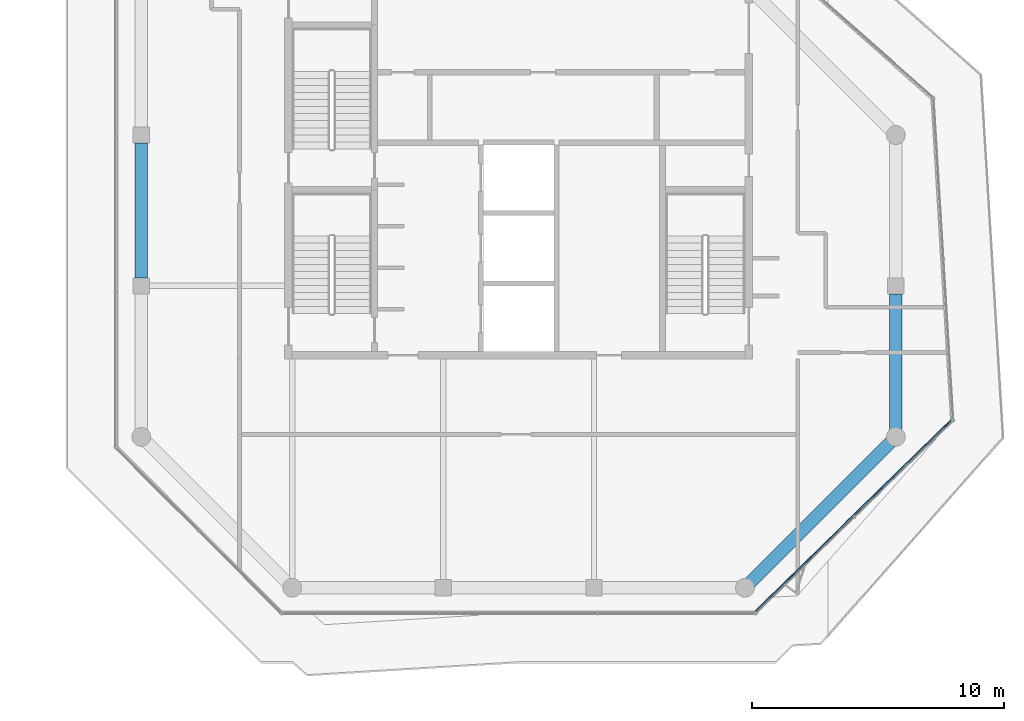
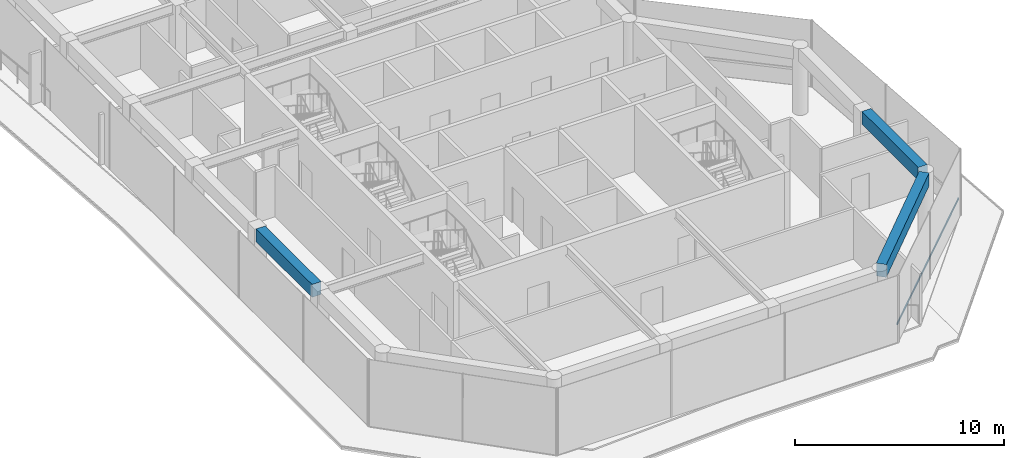
# One storey, part 4 of 22: 3 beams, 1 member, 1 element without a shape of its own.
"""IFC4 building model written with IfcOpenShell, lengths in metres."""

from ifc_helpers import new_model, si_unit, direction, frame, origin, origin_2d, place, context, subcontext, project, spatial, rectangle, extrude, material, layer, layer_set, material_profile, profile_set, type_object, element, aggregate, save


model = new_model("IFC4")

# Units and contexts
model_context = context("Model", 3, precision=1e-05, world=origin(), true_north=direction((0.0, 1.0)))
body_context = subcontext(model_context, "Body", "Model", "MODEL_VIEW")
ifc_project = project(units=[si_unit("LENGTHUNIT", "METRE"), si_unit("AREAUNIT", "SQUARE_METRE"), si_unit("VOLUMEUNIT", "CUBIC_METRE"), si_unit("PLANEANGLEUNIT", "RADIAN"), si_unit("MASSUNIT", "GRAM", prefix="KILO")], contexts=[model_context])

# Site, building, storey
site_placement = place(None, origin())
site = spatial("IfcSite", under=ifc_project, at=site_placement, CompositionType="ELEMENT")
building_placement = place(site_placement, origin())
building = spatial("IfcBuilding", under=site, at=building_placement, Name="Welwitschia Terrace Campus", CompositionType="ELEMENT")
storey_placement = place(building_placement, frame((0.0, 0.0, 318.800048828125)))
storey = spatial("IfcBuildingStorey", under=building, at=storey_placement, Name="L71", CompositionType="ELEMENT", Elevation=318.800048828125)

# Beams
ifc_material_1 = material(Name="Concrete C40/50", Category="concrete")
ifc_material_profile_1 = material_profile(ifc_material_1, rectangle(XDim=0.5, YDim=0.75, at=origin_2d()))
ifc_profile_set_1 = profile_set([ifc_material_profile_1], Name="Concrete C40/50")
beam_type = type_object("IfcBeamType", Name="Ring spandrel 500x750", PredefinedType="SPANDREL", material=ifc_profile_set_1)
beam_1_placement = place(storey_placement, frame((24.1982421875, -3.8017578125, 3.52490234375), z_axis=(0.707106781187, 0.707106781187, 0.0), x_axis=(-0.707106781187, 0.707106781187, 0.0)))
element("IfcBeam", 1, at=beam_1_placement, inside=storey, type_object=beam_type, Name="Spandrel SP5", PredefinedType="SPANDREL", context=body_context, shape_type="SweptSolid", body=[
    extrude(rectangle(XDim=0.5, YDim=0.75, at=origin_2d()), origin(), (0.0, 0.0, 1.0), 7.924560546875),
])
beam_2_placement = place(storey_placement, frame((30.0, 2.280517578125, 3.52490234375), z_axis=(0.0, 1.0, 0.0), x_axis=(-1.0, 0.0, 0.0)))
element("IfcBeam", 2, at=beam_2_placement, inside=storey, type_object=beam_type, Name="Spandrel SP5", PredefinedType="SPANDREL", context=body_context, shape_type="SweptSolid", body=[
    extrude(rectangle(XDim=0.5, YDim=0.75, at=origin_2d()), origin(), (0.0, 0.0, 1.0), 5.39404296875),
])
beam_3_placement = place(storey_placement, frame((0.0, 13.674560546875, 3.52490234375), z_axis=(0.0, -1.0, 0.0), x_axis=(1.0, 0.0, 0.0)))
element("IfcBeam", 3, at=beam_3_placement, inside=storey, type_object=beam_type, Name="Spandrel SP5", PredefinedType="SPANDREL", context=body_context, shape_type="SweptSolid", body=[
    extrude(rectangle(XDim=0.5, YDim=0.75, at=origin_2d()), origin(), (0.0, 0.0, 1.0), 5.34912109375),
])

# Curtain wall, member
ifc_material_2 = material(Name="Bronze anodised aluminium", Category="aluminium")
ifc_layer = layer(ifc_material_2, 0.10009765625)
ifc_layer_set = layer_set([ifc_layer], Name="Bronze anodised aluminium")
curtain_wall_type = type_object("IfcCurtainWallType", Name="Curtain wall CW5 crown 6000", PredefinedType="NOTDEFINED", material=ifc_layer_set)
curtain_wall_placement = place(storey_placement, origin())
curtain_wall = element("IfcCurtainWall", 4, at=curtain_wall_placement, inside=storey, type_object=curtain_wall_type, Name="CW L71.2.0", PredefinedType="NOTDEFINED")
ifc_material_3 = material(Name="Bronze anodised aluminium", Category="aluminium")
ifc_material_profile_2 = material_profile(ifc_material_3, rectangle(XDim=0.050048828125, YDim=0.1201171875, at=origin_2d()))
ifc_profile_set_2 = profile_set([ifc_material_profile_2], Name="Bronze anodised aluminium")
member_type = type_object("IfcMemberType", Name="Transom 50x120", PredefinedType="USERDEFINED", material=ifc_profile_set_2)
member_placement = place(storey_placement, frame((24.409912109375, -4.94140625, 1.0), z_axis=(0.715178794397, 0.698941551237, 0.0), x_axis=(-0.698941551237, 0.715178794397, 0.0)))
member = element("IfcMember", 5, at=member_placement, type_object=member_type, Name="Transom L71.2.0", ObjectType="TRANSOM", PredefinedType="USERDEFINED", context=body_context, shape_type="SweptSolid", body=[
    extrude(rectangle(XDim=0.050048828125, YDim=0.1201171875, at=origin_2d()), origin(), (0.0, 0.0, 1.0), 10.885986328125),
])
aggregate(curtain_wall, [member])

save(model, "model.ifc")
